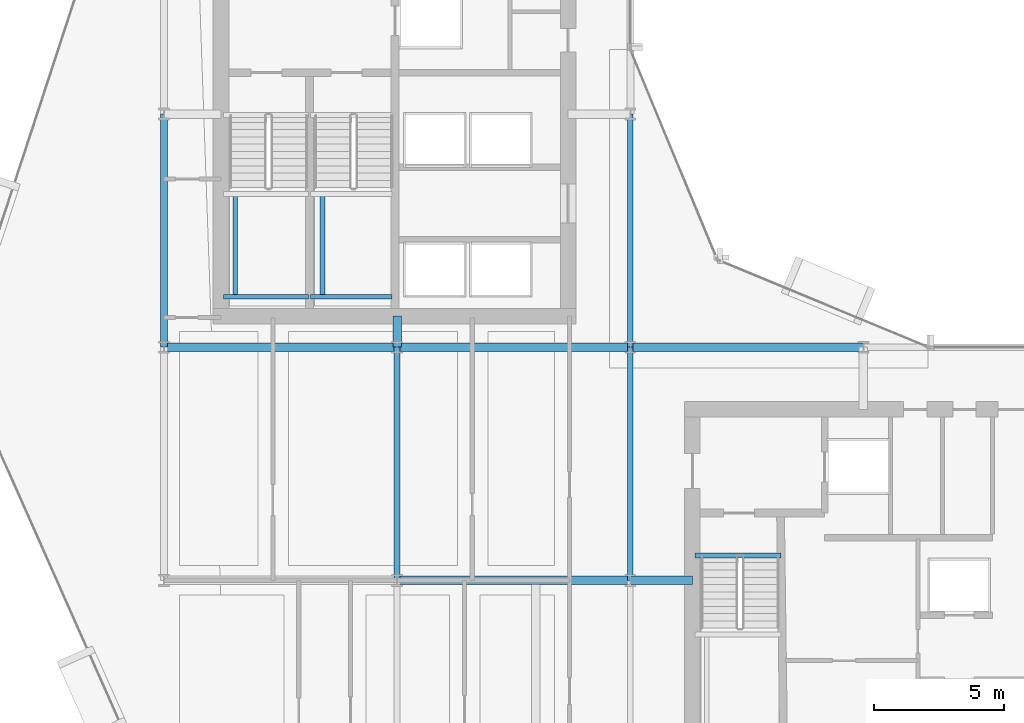
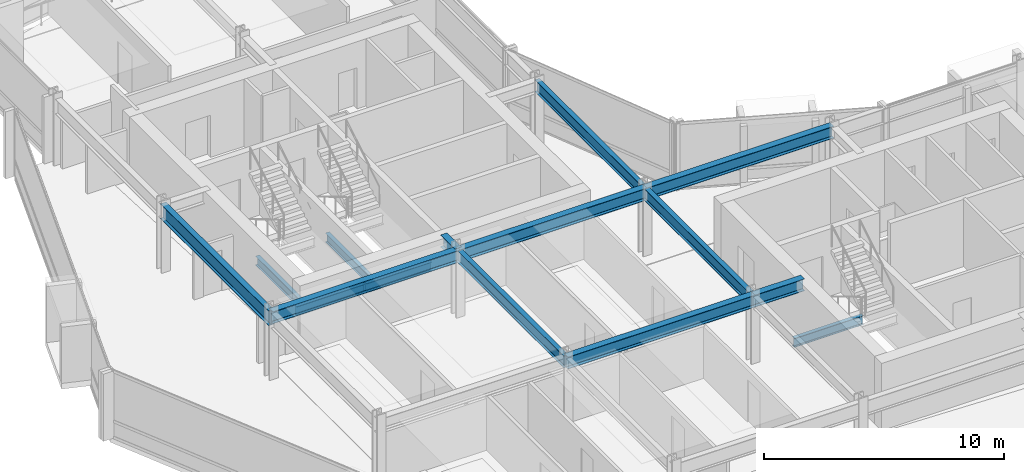
# One storey, part 7 of 29: 15 beams.
"""IFC4 building model written with IfcOpenShell, lengths in metres."""

from ifc_helpers import new_model, si_unit, direction, frame, origin, origin_2d, place, context, subcontext, project, spatial, i_section, extrude, material, material_profile, profile_set, type_object, element, save


model = new_model("IFC4")

# Units and contexts
model_context = context("Model", 3, precision=1e-05, world=origin(), true_north=direction((0.0, 1.0)))
body_context = subcontext(model_context, "Body", "Model", "MODEL_VIEW")
ifc_project = project(units=[si_unit("LENGTHUNIT", "METRE"), si_unit("AREAUNIT", "SQUARE_METRE"), si_unit("VOLUMEUNIT", "CUBIC_METRE"), si_unit("PLANEANGLEUNIT", "RADIAN"), si_unit("MASSUNIT", "GRAM", prefix="KILO")], contexts=[model_context])

# Site, building, storey
site_placement = place(None, origin())
site = spatial("IfcSite", under=ifc_project, at=site_placement, CompositionType="ELEMENT")
building_placement = place(site_placement, origin())
building = spatial("IfcBuilding", under=site, at=building_placement, Name="Solvaryn Broadcast Tower", CompositionType="ELEMENT")
storey_placement = place(building_placement, frame((0.0, 0.0, 124.800048828125)))
storey = spatial("IfcBuildingStorey", under=building, at=storey_placement, Name="L30", CompositionType="ELEMENT", Elevation=124.800048828125)

# Beams
ifc_material_1 = material(Name="Steel ASTM A992 Grade 50", Category="steel")
ifc_material_profile_1 = material_profile(ifc_material_1, i_section(OverallWidth=0.323974609375, OverallDepth=0.611083984375, WebThickness=0.0126953125, FlangeThickness=0.01904296875, FilletRadius=0.014892578125, at=origin_2d()))
ifc_profile_set_1 = profile_set([ifc_material_profile_1], Name="Steel ASTM A992 Grade 50")
beam_type_1 = type_object("IfcBeamType", Name="BM-B1-W24X104", PredefinedType="BEAM", material=ifc_profile_set_1)
for number, where, z_axis, x_axis, name in (
    (1, (18.0, 18.0, 3.114501953125), (1.0, 0.0, 0.0), (0.0, 1.0, 0.0), "L30 Primary Beam X (18-27 @ Y=18)"),
    (2, (9.0, 27.0, 3.114501953125), (1.0, 0.0, 0.0), (0.0, 1.0, 0.0), "L30 Primary Beam X (9-18 @ Y=27)"),
    (3, (18.0, 27.0, 3.114501953125), (1.0, 0.0, 0.0), (0.0, 1.0, 0.0), "L30 Primary Beam X (18-27 @ Y=27)"),
    (4, (27.0, 27.0, 3.114501953125), (1.0, 0.0, 0.0), (0.0, 1.0, 0.0), "L30 Primary Beam X (27-36 @ Y=27)"),
):
    element("IfcBeam", number, at=place(storey_placement, frame(where, z_axis=z_axis, x_axis=x_axis)), inside=storey, type_object=beam_type_1, Name=name, PredefinedType="BEAM", context=body_context, shape_type="SweptSolid", body=[
        extrude(i_section(OverallWidth=0.323974609375, OverallDepth=0.611083984375, WebThickness=0.0126953125, FlangeThickness=0.01904296875, FilletRadius=0.014892578125, at=origin_2d()), origin(), (0.0, 0.0, 1.0), 9.0),
    ])
beam_1_placement = place(storey_placement, frame((18.0, 27.0, 3.114501953125), z_axis=(0.0, 1.0, 0.0), x_axis=(-1.0, 0.0, 0.0)))
element("IfcBeam", 5, at=beam_1_placement, inside=storey, type_object=beam_type_1, Name="L30 Core Tie Beam CTW4", PredefinedType="BEAM", context=body_context, shape_type="SweptSolid", body=[
    extrude(i_section(OverallWidth=0.323974609375, OverallDepth=0.611083984375, WebThickness=0.0126953125, FlangeThickness=0.01904296875, FilletRadius=0.014892578125, at=origin_2d()), origin(), (0.0, 0.0, 1.0), 1.199951171875),
])
beam_2_placement = place(storey_placement, frame((27.0, 18.0, 3.114501953125), z_axis=(1.0, 0.0, 0.0), x_axis=(0.0, 1.0, 0.0)))
element("IfcBeam", 6, at=beam_2_placement, inside=storey, type_object=beam_type_1, Name="L30 Core Tie Beam CTE4", PredefinedType="BEAM", context=body_context, shape_type="SweptSolid", body=[
    extrude(i_section(OverallWidth=0.323974609375, OverallDepth=0.611083984375, WebThickness=0.0126953125, FlangeThickness=0.01904296875, FilletRadius=0.014892578125, at=origin_2d()), origin(), (0.0, 0.0, 1.0), 2.39990234375),
])
ifc_material_2 = material(Name="Steel ASTM A992 Grade 50", Category="steel")
ifc_material_profile_2 = material_profile(ifc_material_2, i_section(OverallWidth=0.22802734375, OverallDepth=0.60791015625, WebThickness=0.01123046875, FlangeThickness=0.017333984375, FilletRadius=0.014892578125, at=origin_2d()))
ifc_profile_set_2 = profile_set([ifc_material_profile_2], Name="Steel ASTM A992 Grade 50")
beam_type_2 = type_object("IfcBeamType", Name="BM-B2-W24X76", PredefinedType="BEAM", material=ifc_profile_set_2)
for number, where, z_axis, x_axis, name in (
    (7, (18.0, 18.0, 3.115966796875), (0.0, 1.0, 0.0), (-1.0, 0.0, 0.0), "L30 Primary Beam Y (18-27 @ X=18)"),
    (8, (27.0, 18.0, 3.115966796875), (0.0, 1.0, 0.0), (-1.0, 0.0, 0.0), "L30 Primary Beam Y (18-27 @ X=27)"),
    (9, (27.0, 27.0, 3.115966796875), (0.0, 1.0, 0.0), (-1.0, 0.0, 0.0), "L30 Primary Beam Y (27-36 @ X=27)"),
):
    element("IfcBeam", number, at=place(storey_placement, frame(where, z_axis=z_axis, x_axis=x_axis)), inside=storey, type_object=beam_type_2, Name=name, PredefinedType="BEAM", context=body_context, shape_type="SweptSolid", body=[
        extrude(i_section(OverallWidth=0.22802734375, OverallDepth=0.60791015625, WebThickness=0.01123046875, FlangeThickness=0.017333984375, FilletRadius=0.014892578125, at=origin_2d()), origin(), (0.0, 0.0, 1.0), 9.0),
    ])
ifc_material_3 = material(Name="Steel ASTM A992 Grade 50", Category="steel")
ifc_material_profile_3 = material_profile(ifc_material_3, i_section(OverallWidth=0.18994140625, OverallDepth=0.45703125, WebThickness=0.009033203125, FlangeThickness=0.014404296875, FilletRadius=0.011962890625, at=origin_2d()))
ifc_profile_set_3 = profile_set([ifc_material_profile_3], Name="Steel ASTM A992 Grade 50")
beam_type_3 = type_object("IfcBeamType", Name="BM-B4-W18X50", PredefinedType="BEAM", material=ifc_profile_set_3)
beam_3_placement = place(storey_placement, frame((11.300048828125, 28.949951171875, 1.42138671875), z_axis=(1.0, 0.0, 0.0), x_axis=(0.0, 1.0, 0.0)))
element("IfcBeam", 10, at=beam_3_placement, inside=storey, type_object=beam_type_3, Name="L30 ST1 Landing Support Beam 1A", PredefinedType="BEAM", context=body_context, shape_type="SweptSolid", body=[
    extrude(i_section(OverallWidth=0.18994140625, OverallDepth=0.45703125, WebThickness=0.009033203125, FlangeThickness=0.014404296875, FilletRadius=0.011962890625, at=origin_2d()), origin(), (0.0, 0.0, 1.0), 3.280029296875),
])
beam_4_placement = place(storey_placement, frame((11.75, 28.949951171875, 1.42138671875), z_axis=(0.0, 1.0, 0.0), x_axis=(-1.0, 0.0, 0.0)))
element("IfcBeam", 11, at=beam_4_placement, inside=storey, type_object=beam_type_3, Name="L30 ST1 Landing Cross Stringer 1C", PredefinedType="BEAM", context=body_context, shape_type="SweptSolid", body=[
    extrude(i_section(OverallWidth=0.18994140625, OverallDepth=0.45703125, WebThickness=0.009033203125, FlangeThickness=0.014404296875, FilletRadius=0.011962890625, at=origin_2d()), origin(), (0.0, 0.0, 1.0), 3.9599609375),
])
beam_5_placement = place(storey_placement, frame((14.659912109375, 28.949951171875, 1.42138671875), z_axis=(1.0, 0.0, 0.0), x_axis=(0.0, 1.0, 0.0)))
element("IfcBeam", 12, at=beam_5_placement, inside=storey, type_object=beam_type_3, Name="L30 ST2 Landing Support Beam 1A", PredefinedType="BEAM", context=body_context, shape_type="SweptSolid", body=[
    extrude(i_section(OverallWidth=0.18994140625, OverallDepth=0.45703125, WebThickness=0.009033203125, FlangeThickness=0.014404296875, FilletRadius=0.011962890625, at=origin_2d()), origin(), (0.0, 0.0, 1.0), 3.14013671875),
])
beam_6_placement = place(storey_placement, frame((15.110107421875, 28.949951171875, 1.42138671875), z_axis=(0.0, 1.0, 0.0), x_axis=(-1.0, 0.0, 0.0)))
element("IfcBeam", 13, at=beam_6_placement, inside=storey, type_object=beam_type_3, Name="L30 ST2 Landing Cross Stringer 1C", PredefinedType="BEAM", context=body_context, shape_type="SweptSolid", body=[
    extrude(i_section(OverallWidth=0.18994140625, OverallDepth=0.45703125, WebThickness=0.009033203125, FlangeThickness=0.014404296875, FilletRadius=0.011962890625, at=origin_2d()), origin(), (0.0, 0.0, 1.0), 3.9599609375),
])
beam_7_placement = place(storey_placement, frame((29.5, 18.9599609375, -0.508544921875), z_axis=(1.0, 0.0, 0.0), x_axis=(0.0, 1.0, 0.0)))
element("IfcBeam", 14, at=beam_7_placement, inside=storey, type_object=beam_type_3, Name="L30 ST3 Stair Well Trimmer Beam", PredefinedType="BEAM", context=body_context, shape_type="SweptSolid", body=[
    extrude(i_section(OverallWidth=0.18994140625, OverallDepth=0.45703125, WebThickness=0.009033203125, FlangeThickness=0.014404296875, FilletRadius=0.011962890625, at=origin_2d()), origin(), (0.0, 0.0, 1.0), 3.320068359375),
])
ifc_material_4 = material(Name="Steel ASTM A992 Grade 50", Category="steel")
ifc_material_profile_4 = material_profile(ifc_material_4, i_section(OverallWidth=0.26708984375, OverallDepth=0.76611328125, WebThickness=0.014892578125, FlangeThickness=0.023681640625, FilletRadius=0.01806640625, at=origin_2d()))
ifc_profile_set_4 = profile_set([ifc_material_profile_4], Name="Steel ASTM A992 Grade 50")
beam_type_4 = type_object("IfcBeamType", Name="BM-SP2-W30X124", PredefinedType="USERDEFINED", material=ifc_profile_set_4)
beam_8_placement = place(storey_placement, frame((9.0, 27.0, 3.036865234375), z_axis=(0.0, 1.0, 0.0), x_axis=(-1.0, 0.0, 0.0)))
element("IfcBeam", 15, at=beam_8_placement, inside=storey, type_object=beam_type_4, Name="L30 Spandrel Beam Y (27-36 @ X=9)", ObjectType="SPANDREL", PredefinedType="USERDEFINED", context=body_context, shape_type="SweptSolid", body=[
    extrude(i_section(OverallWidth=0.26708984375, OverallDepth=0.76611328125, WebThickness=0.014892578125, FlangeThickness=0.023681640625, FilletRadius=0.01806640625, at=origin_2d()), origin(), (0.0, 0.0, 1.0), 9.0),
])

save(model, "model.ifc")
